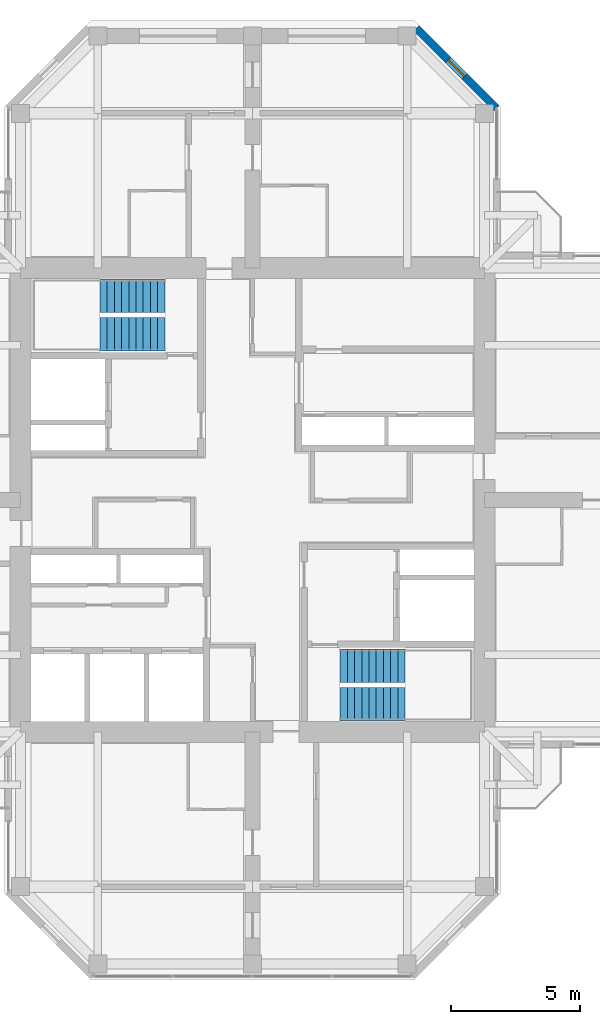
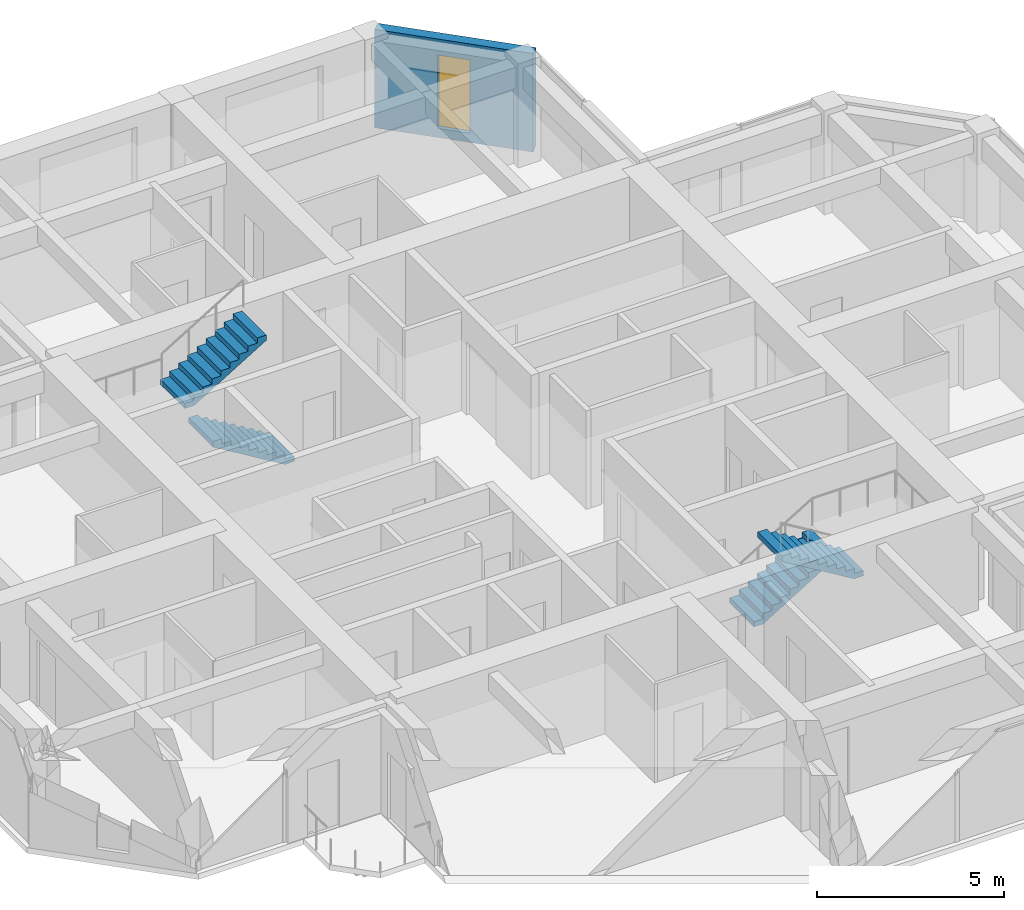
# One storey, part 12 of 13: 4 stair flights, 1 wall, 1 window, 1 opening, 2 elements without a shape of their own.
"""IFC4 building model written with IfcOpenShell, lengths in metres."""

from ifc_helpers import new_model, si_unit, direction, frame, frame_2d, origin, place, context, subcontext, project, spatial, polyline, rectangle, hollow_rectangle, outline, extrude, material, layer, layer_set, constituent, constituent_set, type_object, element, fill, aggregate, save


model = new_model("IFC4")

# Units and contexts
model_context = context("Model", 3, precision=1e-05, world=origin(), true_north=direction((0.0, 1.0)))
body_context = subcontext(model_context, "Body", "Model", "MODEL_VIEW")
ifc_project = project(units=[si_unit("LENGTHUNIT", "METRE"), si_unit("AREAUNIT", "SQUARE_METRE"), si_unit("VOLUMEUNIT", "CUBIC_METRE"), si_unit("PLANEANGLEUNIT", "RADIAN"), si_unit("MASSUNIT", "GRAM", prefix="KILO")], contexts=[model_context])

# Site, building, storey
site_placement = place(None, origin())
site = spatial("IfcSite", under=ifc_project, at=site_placement, CompositionType="ELEMENT")
building_placement = place(site_placement, origin())
building = spatial("IfcBuilding", under=site, at=building_placement, Name="Torre Cruceta", CompositionType="ELEMENT")
storey_placement = place(building_placement, frame((0.0, 0.0, 271.300048828125)))
storey = spatial("IfcBuildingStorey", under=building, at=storey_placement, Name="L70", CompositionType="ELEMENT", Elevation=271.300048828125)

# Wall, opening, window
ifc_material_1 = material(Name="Concrete G30 (fck 30 MPa)", Category="concrete")
ifc_layer = layer(ifc_material_1, 0.300048828125)
ifc_layer_set = layer_set([ifc_layer], Name="Concrete G30 (fck 30 MPa)")
wall_type = type_object("IfcWallType", Name="EXPOSED CONCRETE FACADE WALL 300", PredefinedType="SOLIDWALL", material=ifc_layer_set)
wall_placement = place(storey_placement, frame((9.469970703125, 15.194580078125, 0.0), z_axis=(0.0, 0.0, 1.0), x_axis=(-0.70707898447, 0.707134576811, 0.0)))
wall = element("IfcWall", 1, at=wall_placement, inside=storey, type_object=wall_type, Name="EW1 facade wall L70 N chamfer 06", PredefinedType="SOLIDWALL", context=body_context, shape_type="SweptSolid", body=[
    extrude(rectangle(XDim=4.3916015625, YDim=0.300048828125, at=frame_2d((2.19580078125, 0.0))), origin(), (0.0, 0.0, 1.0), 3.219970703125),
])
opening_placement = place(wall_placement, frame((1.745849609375, 0.0, 0.300048828125)))
opening = element("IfcOpeningElement", 2, at=opening_placement, cuts=wall, Name="Opening WN5", PredefinedType="OPENING", context=body_context, shape_type="SweptSolid", body=[
    extrude(rectangle(XDim=0.89990234375, YDim=2.39990234375, at=frame_2d((0.449951171875, 1.199951171875))), frame((0.0, 0.159912109375, 0.0), z_axis=(0.0, -1.0, 0.0), x_axis=(1.0, 0.0, 0.0)), (0.0, 0.0, 1.0), 0.320068359375),
])
ifc_material_2 = material(Name="Aluminium window frame", Category="aluminium")
ifc_constituent_1 = constituent(ifc_material_2, Name="Frame")
ifc_material_3 = material(Name="Laminated insulating glass unit, low-iron clear", Category="glass")
ifc_constituent_2 = constituent(ifc_material_3, Name="Glazing")
ifc_constituent_set = constituent_set(constituents=[ifc_constituent_1, ifc_constituent_2], Name="Aluminium window")
window_type = type_object("IfcWindowType", Name="CHAMFER SLOT WINDOW 900X2400", PartitioningType="SINGLE_PANEL", PredefinedType="WINDOW", material=ifc_constituent_set)
window_placement = place(opening_placement, origin())
window = element("IfcWindow", 3, at=window_placement, inside=storey, type_object=window_type, Name="WN5 L70 N 1", OverallHeight=2.39990234375, OverallWidth=0.89990234375, PartitioningType="SINGLE_PANEL", PredefinedType="WINDOW", context=body_context, shape_type="SweptSolid", body=[
    extrude(hollow_rectangle(XDim=0.89990234375, YDim=2.39990234375, WallThickness=0.06005859375, at=frame_2d((0.449951171875, 1.199951171875))), frame((0.0, 0.030029296875, 0.0), z_axis=(0.0, -1.0, 0.0), x_axis=(1.0, 0.0, 0.0)), (0.0, 0.0, 1.0), 0.06005859375),
    extrude(rectangle(XDim=0.77880859375, YDim=2.27880859375, at=frame_2d((0.449951171875, 1.199951171875))), frame((0.0, 0.030029296875, 0.0), z_axis=(0.0, -1.0, 0.0), x_axis=(1.0, 0.0, 0.0)), (0.0, 0.0, 1.0), 0.06005859375),
])
fill(opening, window)

# Stair, stair flights
ifc_material_4 = material(Name="Concrete G30 (fck 30 MPa)", Category="concrete")
stair_type = type_object("IfcStairType", Name="STAIR HALF-TURN 1300", PredefinedType="HALF_TURN_STAIR", material=ifc_material_4)
stair_1_placement = place(storey_placement, origin())
stair_1 = element("IfcStair", 4, at=stair_1_placement, inside=storey, type_object=stair_type, Name="Stair ST1 L70", PredefinedType="HALF_TURN_STAIR")
ifc_material_5 = material(Name="Concrete G30 (fck 30 MPa)", Category="concrete")
stair_flight_type = type_object("IfcStairFlightType", Name="STAIR FLIGHT 1300", PredefinedType="STRAIGHT", material=ifc_material_5)
stair_flight_1_placement = place(storey_placement, frame((-3.39990234375, 6.425048828125, 0.0), z_axis=(0.0, 0.0, 1.0), x_axis=(-1.0, 0.0, 0.0)))
stair_flight_1 = element("IfcStairFlight", 5, at=stair_flight_1_placement, type_object=stair_flight_type, Name="ST1 flight 1", NumberOfRisers=10, NumberOfTreads=9, PredefinedType="STRAIGHT", RiserHeight=0.17, TreadLength=0.28, context=body_context, shape_type="SweptSolid", body=[
    extrude(outline(polyline([(0.0, 0.0), (0.0, 0.169921875), (0.280029296875, 0.169921875), (0.280029296875, 0.340087890625), (0.56005859375, 0.340087890625), (0.56005859375, 0.510009765625), (0.840087890625, 0.510009765625), (0.840087890625, 0.679931640625), (1.1201171875, 0.679931640625), (1.1201171875, 0.85009765625), (1.39990234375, 0.85009765625), (1.39990234375, 1.02001953125), (1.679931640625, 1.02001953125), (1.679931640625, 1.18994140625), (1.9599609375, 1.18994140625), (1.9599609375, 1.360107421875), (2.239990234375, 1.360107421875), (2.239990234375, 1.530029296875), (2.52001953125, 1.530029296875), (2.52001953125, 1.699951171875), (2.52001953125, 1.354736328125), (0.288818359375, 0.0), (0.0, 0.0)])), frame((0.0, 0.64990234375, 0.0), z_axis=(0.0, -1.0, 0.0), x_axis=(1.0, 0.0, 0.0)), (0.0, 0.0, 1.0), 1.300048828125),
])
stair_flight_2_placement = place(storey_placement, frame((-5.919921875, 7.925048828125, 1.699951171875), z_axis=(0.0, 0.0, 1.0), x_axis=(1.0, 0.0, 0.0)))
stair_flight_2 = element("IfcStairFlight", 6, at=stair_flight_2_placement, type_object=stair_flight_type, Name="ST1 flight 2", NumberOfRisers=10, NumberOfTreads=9, PredefinedType="STRAIGHT", RiserHeight=0.17, TreadLength=0.28, context=body_context, shape_type="SweptSolid", body=[
    extrude(outline(polyline([(0.0, 0.0), (0.0, 0.169921875), (0.280029296875, 0.169921875), (0.280029296875, 0.340087890625), (0.56005859375, 0.340087890625), (0.56005859375, 0.510009765625), (0.840087890625, 0.510009765625), (0.840087890625, 0.679931640625), (1.1201171875, 0.679931640625), (1.1201171875, 0.85009765625), (1.39990234375, 0.85009765625), (1.39990234375, 1.02001953125), (1.679931640625, 1.02001953125), (1.679931640625, 1.18994140625), (1.9599609375, 1.18994140625), (1.9599609375, 1.360107421875), (2.239990234375, 1.360107421875), (2.239990234375, 1.530029296875), (2.52001953125, 1.530029296875), (2.52001953125, 1.699951171875), (2.52001953125, 1.354736328125), (0.288818359375, 0.0), (0.0, 0.0)])), frame((0.0, 0.64990234375, 0.0), z_axis=(0.0, -1.0, 0.0), x_axis=(1.0, 0.0, 0.0)), (0.0, 0.0, 1.0), 1.300048828125),
])
aggregate(stair_1, [stair_flight_1, stair_flight_2])

stair_2_placement = place(storey_placement, origin())
stair_2 = element("IfcStair", 7, at=stair_2_placement, inside=storey, type_object=stair_type, Name="Stair ST2 L70", PredefinedType="HALF_TURN_STAIR")
stair_flight_3_placement = place(storey_placement, frame((3.39990234375, -6.425048828125, 0.0), z_axis=(0.0, 0.0, 1.0), x_axis=(1.0, 0.0, 0.0)))
stair_flight_3 = element("IfcStairFlight", 8, at=stair_flight_3_placement, type_object=stair_flight_type, Name="ST2 flight 1", NumberOfRisers=10, NumberOfTreads=9, PredefinedType="STRAIGHT", RiserHeight=0.17, TreadLength=0.28, context=body_context, shape_type="SweptSolid", body=[
    extrude(outline(polyline([(0.0, 0.0), (0.0, 0.169921875), (0.280029296875, 0.169921875), (0.280029296875, 0.340087890625), (0.56005859375, 0.340087890625), (0.56005859375, 0.510009765625), (0.840087890625, 0.510009765625), (0.840087890625, 0.679931640625), (1.1201171875, 0.679931640625), (1.1201171875, 0.85009765625), (1.39990234375, 0.85009765625), (1.39990234375, 1.02001953125), (1.679931640625, 1.02001953125), (1.679931640625, 1.18994140625), (1.9599609375, 1.18994140625), (1.9599609375, 1.360107421875), (2.239990234375, 1.360107421875), (2.239990234375, 1.530029296875), (2.52001953125, 1.530029296875), (2.52001953125, 1.699951171875), (2.52001953125, 1.354736328125), (0.288818359375, 0.0), (0.0, 0.0)])), frame((0.0, 0.64990234375, 0.0), z_axis=(0.0, -1.0, 0.0), x_axis=(1.0, 0.0, 0.0)), (0.0, 0.0, 1.0), 1.300048828125),
])
stair_flight_4_placement = place(storey_placement, frame((5.919921875, -7.925048828125, 1.699951171875), z_axis=(0.0, 0.0, 1.0), x_axis=(-1.0, 0.0, 0.0)))
stair_flight_4 = element("IfcStairFlight", 9, at=stair_flight_4_placement, type_object=stair_flight_type, Name="ST2 flight 2", NumberOfRisers=10, NumberOfTreads=9, PredefinedType="STRAIGHT", RiserHeight=0.17, TreadLength=0.28, context=body_context, shape_type="SweptSolid", body=[
    extrude(outline(polyline([(0.0, 0.0), (0.0, 0.169921875), (0.280029296875, 0.169921875), (0.280029296875, 0.340087890625), (0.56005859375, 0.340087890625), (0.56005859375, 0.510009765625), (0.840087890625, 0.510009765625), (0.840087890625, 0.679931640625), (1.1201171875, 0.679931640625), (1.1201171875, 0.85009765625), (1.39990234375, 0.85009765625), (1.39990234375, 1.02001953125), (1.679931640625, 1.02001953125), (1.679931640625, 1.18994140625), (1.9599609375, 1.18994140625), (1.9599609375, 1.360107421875), (2.239990234375, 1.360107421875), (2.239990234375, 1.530029296875), (2.52001953125, 1.530029296875), (2.52001953125, 1.699951171875), (2.52001953125, 1.354736328125), (0.288818359375, 0.0), (0.0, 0.0)])), frame((0.0, 0.64990234375, 0.0), z_axis=(0.0, -1.0, 0.0), x_axis=(1.0, 0.0, 0.0)), (0.0, 0.0, 1.0), 1.300048828125),
])
aggregate(stair_2, [stair_flight_3, stair_flight_4])

save(model, "model.ifc")
